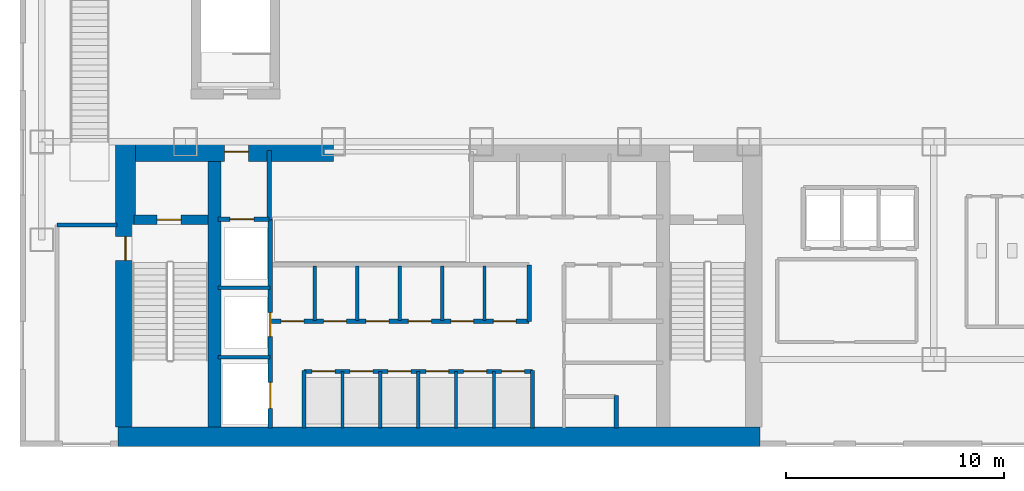
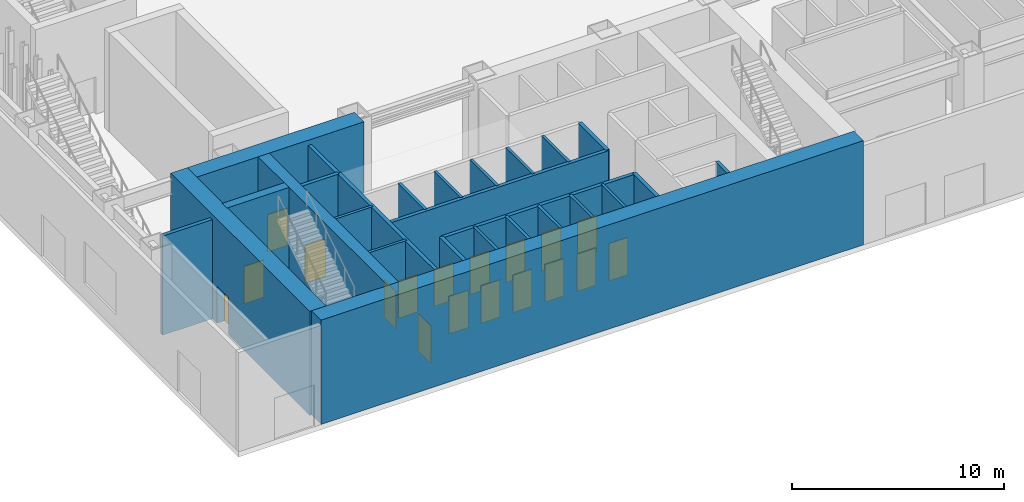
# One storey, part 9 of 25: 27 walls, 18 doors, 18 openings.
"""IFC4 building model written with IfcOpenShell, lengths in metres."""

import ifcopenshell
import ifcopenshell.guid

model = None  # the IFC model being written
_history = None  # IfcOwnerHistory: only IFC2X3 demands one
_inside = {}  # id of a spatial element -> (the spatial element, [elements in it])
_under = {}  # id of a project, library or spatial element -> (it, [spatial elements below it])
_declared = {}  # id of a project -> (the project, [libraries it declares])
_typed = {}  # id of a type object -> (the type object, [elements of that type])
_made_of = {}  # id of a material, layer set ... -> (it, [elements and type objects made of it])


def new_model(schema):
    """Start an empty IFC model of exactly this schema.

    Asked for "IFC4X3", IfcOpenShell would pick the latest addendum, in which some entities
    have other attributes; the version numbers below select the first issue.
    IFC2X3 requires an IfcOwnerHistory on every rooted entity: one is made here for all.
    """
    global model, _history
    if schema == "IFC4X3":
        model = ifcopenshell.file(schema_version=(4, 3, 0, 0))
    else:
        model = ifcopenshell.file(schema=schema)
    _inside.clear()
    _under.clear()
    _declared.clear()
    _typed.clear()
    _made_of.clear()
    _history = None
    if model.schema == "IFC2X3":
        org = make("IfcOrganization", Name="unknown")
        user = make(
            "IfcPersonAndOrganization",
            ThePerson=make("IfcPerson", FamilyName="unknown"),
            TheOrganization=org,
        )
        app = make(
            "IfcApplication",
            ApplicationDeveloper=org,
            Version="unknown",
            ApplicationFullName="unknown",
            ApplicationIdentifier="unknown",
        )
        _history = make(
            "IfcOwnerHistory",
            OwningUser=user,
            OwningApplication=app,
            ChangeAction="ADDED",
            CreationDate=0,
        )
    return model


def make(cls, **values):
    """One entity of the class cls with the attributes given. An attribute that is None is left unset."""
    return model.create_entity(
        cls, **{name: value for name, value in values.items() if value is not None}
    )


def rooted(cls, **values):
    """An entity with a GlobalId (a new one), such as an element, a storey or a relation."""
    return make(cls, GlobalId=ifcopenshell.guid.new(), OwnerHistory=_history, **values)


def si_unit(unit_type, name, prefix=None):
    """IfcSIUnit, for example si_unit("LENGTHUNIT", "METRE", prefix="MILLI")."""
    return make("IfcSIUnit", UnitType=unit_type, Prefix=prefix, Name=name)


def derived_unit(unit_type, elements):
    """IfcDerivedUnit: a product of units, each with its exponent."""
    return make(
        "IfcDerivedUnit",
        Elements=[
            make("IfcDerivedUnitElement", Unit=unit, Exponent=power)
            for unit, power in elements
        ],
        UnitType=unit_type,
    )


def assignment(units):
    """IfcUnitAssignment: the units of a project."""
    return None if units is None else make("IfcUnitAssignment", Units=units)


def point(xyz):
    """IfcCartesianPoint."""
    return None if xyz is None else make("IfcCartesianPoint", Coordinates=xyz)


def direction(xyz):
    """IfcDirection."""
    return None if xyz is None else make("IfcDirection", DirectionRatios=xyz)


def frame(location, z_axis=None, x_axis=None):
    """IfcAxis2Placement3D, a coordinate frame: its origin and axes. An axis left out is left unset."""
    return make(
        "IfcAxis2Placement3D",
        Location=point(location),
        Axis=direction(z_axis),
        RefDirection=direction(x_axis),
    )


def frame_2d(location, x_axis=None):
    """IfcAxis2Placement2D, a coordinate frame in the plane: its origin and x axis."""
    return make(
        "IfcAxis2Placement2D", Location=point(location), RefDirection=direction(x_axis)
    )


def origin():
    """The frame at (0, 0, 0) with its axes left unset."""
    return frame((0.0, 0.0, 0.0))


def place(relative_to, where):
    """IfcLocalPlacement: puts the frame where relative to a parent placement (None: the world)."""
    return make(
        "IfcLocalPlacement", PlacementRelTo=relative_to, RelativePlacement=where
    )


def context(
    kind, dimensions, precision=None, world=None, true_north=None, identifier=None
):
    """IfcGeometricRepresentationContext, for example the 3D "Model" context."""
    return make(
        "IfcGeometricRepresentationContext",
        ContextIdentifier=identifier,
        ContextType=kind,
        CoordinateSpaceDimension=dimensions,
        Precision=precision,
        WorldCoordinateSystem=world,
        TrueNorth=true_north,
    )


def subcontext(parent, identifier, kind, view, scale=None):
    """IfcGeometricRepresentationSubContext, for example "Body" below "Model"."""
    return make(
        "IfcGeometricRepresentationSubContext",
        ContextIdentifier=identifier,
        ContextType=kind,
        ParentContext=parent,
        TargetScale=scale,
        TargetView=view,
    )


def project(units=None, contexts=None):
    """IfcProject with its units and contexts."""
    return rooted(
        "IfcProject",
        Name="project",
        RepresentationContexts=contexts,
        UnitsInContext=assignment(units),
    )


def spatial(cls, under=None, at=None, **own):
    """A site, building, storey or space (cls), placed at a placement, below another one or the project."""
    s = rooted(cls, ObjectPlacement=at, **own)
    if under is not None:
        _under.setdefault(under.id(), (under, []))[1].append(s)
    return s


def profile(cls, at=None, kind="AREA", **sizes):
    """A parametric profile (cls). Its sizes go by their IFC names, for example OverallWidth=200.0."""
    return make(cls, ProfileType=kind, Position=at, **sizes)


def rectangle(**sizes):
    """IfcRectangleProfileDef."""
    return profile("IfcRectangleProfileDef", **sizes)


def extrude(swept, where, along, depth):
    """IfcExtrudedAreaSolid: the profile swept, set in the frame where, extruded along a direction by depth."""
    return make(
        "IfcExtrudedAreaSolid",
        SweptArea=swept,
        Position=where,
        ExtrudedDirection=direction(along),
        Depth=depth,
    )


def shape(context_of_items, identifier, shape_type, items):
    """IfcShapeRepresentation: the items that make up one representation, for example the "Body"."""
    return make(
        "IfcShapeRepresentation",
        ContextOfItems=context_of_items,
        RepresentationIdentifier=identifier,
        RepresentationType=shape_type,
        Items=items,
    )


def source(mapping_origin, context_of_items, identifier, shape_type, items):
    """IfcRepresentationMap: a shape defined once, which mapped items show again and again."""
    return make(
        "IfcRepresentationMap",
        MappingOrigin=mapping_origin,
        MappedRepresentation=shape(context_of_items, identifier, shape_type, items),
    )


def transform(
    local_origin,
    x_axis=None,
    y_axis=None,
    z_axis=None,
    scale=None,
    scale2=None,
    scale3=None,
    uniform=True,
):
    """IfcCartesianTransformationOperator3D, or its non-uniform kind. x_axis, y_axis, z_axis: its Axis1, 2, 3."""
    if uniform:
        return make(
            "IfcCartesianTransformationOperator3D",
            Axis1=direction(x_axis),
            Axis2=direction(y_axis),
            LocalOrigin=point(local_origin),
            Scale=scale,
            Axis3=direction(z_axis),
        )
    return make(
        "IfcCartesianTransformationOperator3DnonUniform",
        Axis1=direction(x_axis),
        Axis2=direction(y_axis),
        LocalOrigin=point(local_origin),
        Scale=scale,
        Axis3=direction(z_axis),
        Scale2=scale2,
        Scale3=scale3,
    )


def mapped(mapping_source, mapping_target):
    """IfcMappedItem: shows the shape of a source again, moved by a transform."""
    return make(
        "IfcMappedItem", MappingSource=mapping_source, MappingTarget=mapping_target
    )


def material(Name=None, Category=None):
    """IfcMaterial."""
    return make("IfcMaterial", Name=Name, Category=Category)


def layer(
    of_material, thickness, ventilated=None, Name=None, Category=None, Priority=None
):
    """IfcMaterialLayer: one layer of a wall or slab, of a material (None: an air gap)."""
    return make(
        "IfcMaterialLayer",
        Material=of_material,
        LayerThickness=thickness,
        IsVentilated=ventilated,
        Name=Name,
        Category=Category,
        Priority=Priority,
    )


def layer_set(layers, Name=None):
    """IfcMaterialLayerSet."""
    return make("IfcMaterialLayerSet", MaterialLayers=layers, LayerSetName=Name)


def made_of(thing, what):
    """Note that an element or type object is made of a material, layer set ...; save() writes the relation."""
    if what is not None:
        _made_of.setdefault(what.id(), (what, []))[1].append(thing)
    return thing


def type_object(cls, material=None, **own):
    """A type object (cls), such as IfcWallType, which elements share."""
    return made_of(rooted(cls, **own), material)


def element(
    cls,
    number,
    at=None,
    inside=None,
    cuts=None,
    type_object=None,
    material=None,
    context=None,
    identifier="Body",
    shape_type=None,
    held_by="IfcProductDefinitionShape",
    body=None,
    shapes=None,
    **own,
):
    """One element of the class cls, such as IfcWall. Its Tag is "e" and its number.

    at: its placement. inside: the storey or other place that contains it. cuts: it is an
    opening in that element (IfcRelVoidsElement). A single representation is given by context,
    identifier, shape_type and body (its items); several are given by shapes. held_by: the class
    of the entity that holds the representations. save() writes the other relations.
    """
    e = rooted(cls, Tag="e%d" % number, ObjectPlacement=at, **own)
    if body is not None:
        shapes = [shape(context, identifier, shape_type, body)]
    if shapes is not None:
        e.Representation = make(held_by, Representations=shapes)
    if inside is not None:
        _inside.setdefault(inside.id(), (inside, []))[1].append(e)
    if cuts is not None:
        rooted(
            "IfcRelVoidsElement", RelatingBuildingElement=cuts, RelatedOpeningElement=e
        )
    if type_object is not None:
        _typed.setdefault(type_object.id(), (type_object, []))[1].append(e)
    return made_of(e, material)


def fill(opening, filler):
    """IfcRelFillsElement: the door or window that sits in an opening."""
    return rooted(
        "IfcRelFillsElement",
        RelatingOpeningElement=opening,
        RelatedBuildingElement=filler,
    )


def aggregate(whole, parts):
    """IfcRelAggregates: a whole, such as a stair, and the parts it consists of."""
    return rooted("IfcRelAggregates", RelatingObject=whole, RelatedObjects=parts)


def save(model, path):
    """Write the relations noted so far, then the file.

    IfcRelAggregates (storeys below a building ...), IfcRelContainedInSpatialStructure (elements
    in a storey), IfcRelDefinesByType, IfcRelAssociatesMaterial and IfcRelDeclares: one each for
    every whole, place, type object, material and project.
    """
    for whole, parts in _under.values():
        aggregate(whole, parts)
    for where, things in _inside.values():
        rooted(
            "IfcRelContainedInSpatialStructure",
            RelatedElements=things,
            RelatingStructure=where,
        )
    for kind, things in _typed.values():
        rooted("IfcRelDefinesByType", RelatedObjects=things, RelatingType=kind)
    for what, things in _made_of.values():
        rooted("IfcRelAssociatesMaterial", RelatedObjects=things, RelatingMaterial=what)
    for by, libraries in _declared.values():
        rooted("IfcRelDeclares", RelatingContext=by, RelatedDefinitions=libraries)
    model.write(path)


model = new_model("IFC4")

# Units and contexts
model_context = context("Model", 3, precision=1e-05, world=origin(), true_north=direction((0.0, 1.0)))
body_context = subcontext(model_context, "Body", "Model", "MODEL_VIEW")
ifc_project = project(units=[si_unit("LENGTHUNIT", "METRE"), si_unit("AREAUNIT", "SQUARE_METRE"), si_unit("VOLUMEUNIT", "CUBIC_METRE"), si_unit("PLANEANGLEUNIT", "RADIAN"), si_unit("MASSUNIT", "GRAM", prefix="KILO"), derived_unit("THERMALTRANSMITTANCEUNIT", [(si_unit("POWERUNIT", "WATT"), 1), (si_unit("LENGTHUNIT", "METRE"), -2), (si_unit("THERMODYNAMICTEMPERATUREUNIT", "KELVIN"), -1)])], contexts=[model_context])

# Site, building, storey
site_placement = place(None, origin())
site = spatial("IfcSite", under=ifc_project, at=site_placement, CompositionType="ELEMENT")
building_placement = place(site_placement, origin())
building = spatial("IfcBuilding", under=site, at=building_placement, Name="Skarnbrae Concourse Arena and Tower", CompositionType="ELEMENT")
storey_placement = place(building_placement, origin())
storey = spatial("IfcBuildingStorey", under=building, at=storey_placement, Name="L00", CompositionType="ELEMENT", Elevation=0.0)

# Wall
ifc_material_1 = material(Name="Concrete 70 MPa (C70/85)", Category="concrete")
ifc_layer_1 = layer(ifc_material_1, 0.89990234375)
ifc_layer_set_1 = layer_set([ifc_layer_1], Name="Concrete 70 MPa (C70/85)")
wall_type_1 = type_object("IfcWallType", Name="WALL-CORE-900-C70", PredefinedType="SHEAR", material=ifc_layer_set_1)
shared_shape_1 = source(origin(), body_context, "Body", "SweptSolid", [
    extrude(rectangle(XDim=29.5, YDim=0.89990234375, at=frame_2d((14.75, 0.0))), origin(), (0.0, 0.0, 1.0), 6.0),
])
wall_1_placement = place(storey_placement, frame((4.5, 0.449951171875, 0.0), z_axis=(0.0, 0.0, 1.0), x_axis=(1.0, 0.0, 0.0)))
element("IfcWall", 1, at=wall_1_placement, inside=storey, type_object=wall_type_1, Name="L00 Rear core shear wall CW-S", PredefinedType="SHEAR", context=body_context, shape_type="MappedRepresentation", body=[
    mapped(shared_shape_1, transform((0.0, 0.0, 0.0))),
])

# Wall, opening, door
shared_shape_2 = source(origin(), body_context, "Body", "SweptSolid", [
    extrude(rectangle(XDim=13.10009765625, YDim=0.89990234375, at=frame_2d((6.550048828125, 0.0))), origin(), (0.0, 0.0, 1.0), 6.0),
])
wall_2_placement = place(storey_placement, frame((4.85009765625, 0.89990234375, 0.0), z_axis=(0.0, 0.0, 1.0), x_axis=(0.0, 1.0, 0.0)))
wall_2 = element("IfcWall", 2, at=wall_2_placement, inside=storey, type_object=wall_type_1, Name="L00 Rear core shear wall CW-W", PredefinedType="SHEAR", context=body_context, shape_type="MappedRepresentation", body=[
    mapped(shared_shape_2, transform((0.0, 0.0, 0.0))),
])
opening_1_placement = place(wall_2_placement, frame((7.64990234375, 0.0, 0.0)))
opening_1 = element("IfcOpeningElement", 3, at=opening_1_placement, cuts=wall_2, Name="Opening DT-03", PredefinedType="OPENING", context=body_context, shape_type="SweptSolid", body=[
    extrude(rectangle(XDim=1.10009765625, YDim=2.14990234375, at=frame_2d((0.550048828125, 1.074951171875))), frame((0.0, 0.4599609375, 0.0), z_axis=(0.0, -1.0, 0.0), x_axis=(1.0, 0.0, 0.0)), (0.0, 0.0, 1.0), 0.919921875),
])
ifc_material_2 = material(Name="Steel CSA G40.21 350W", Category="steel")
door_type_1 = type_object("IfcDoorType", Name="DOOR-FIRE-1100-90M", OperationType="NOTDEFINED", PredefinedType="DOOR", material=ifc_material_2)
shared_shape_3 = source(origin(), body_context, "Body", "SweptSolid", [
    extrude(rectangle(XDim=1.10009765625, YDim=2.14990234375, at=frame_2d((0.550048828125, 1.074951171875))), frame((0.0, 0.02490234375, 0.0), z_axis=(0.0, -1.0, 0.0), x_axis=(1.0, 0.0, 0.0)), (0.0, 0.0, 1.0), 0.050048828125),
])
door_1_placement = place(opening_1_placement, origin())
door_1 = element("IfcDoor", 4, at=door_1_placement, inside=storey, type_object=door_type_1, Name="D-0146 Stair ST-1 Discharge Door", OperationType="SINGLE_SWING_RIGHT", OverallHeight=2.14990234375, OverallWidth=1.10009765625, PredefinedType="DOOR", context=body_context, shape_type="MappedRepresentation", body=[
    mapped(shared_shape_3, transform((0.0, 0.0, 0.0))),
])
fill(opening_1, door_1)

shared_shape_4 = source(origin(), body_context, "Body", "SweptSolid", [
    extrude(rectangle(XDim=9.099853515625, YDim=0.89990234375, at=frame_2d((4.5498046875, 0.0))), origin(), (0.0, 0.0, 1.0), 6.0),
])
wall_3_placement = place(storey_placement, frame((5.300048828125, 13.550048828125, 0.0), z_axis=(0.0, 0.0, 1.0), x_axis=(1.0, 0.0, 0.0)))
wall_3 = element("IfcWall", 5, at=wall_3_placement, inside=storey, type_object=wall_type_1, Name="L00 Rear core shear wall CW-NW", PredefinedType="SHEAR", context=body_context, shape_type="MappedRepresentation", body=[
    mapped(shared_shape_4, transform((0.0, 0.0, 0.0))),
])
opening_2_placement = place(wall_3_placement, frame((4.10009765625, 0.0, 0.0)))
opening_2 = element("IfcOpeningElement", 6, at=opening_2_placement, cuts=wall_3, Name="Opening DT-03", PredefinedType="OPENING", context=body_context, shape_type="SweptSolid", body=[
    extrude(rectangle(XDim=1.10009765625, YDim=2.14990234375, at=frame_2d((0.550048828125, 1.074951171875))), frame((0.0, 0.4599609375, 0.0), z_axis=(0.0, -1.0, 0.0), x_axis=(1.0, 0.0, 0.0)), (0.0, 0.0, 1.0), 0.919921875),
])
door_2_placement = place(opening_2_placement, origin())
door_2 = element("IfcDoor", 7, at=door_2_placement, inside=storey, type_object=door_type_1, Name="D-0148 Firefighting Lobby Exit Door", OperationType="SINGLE_SWING_RIGHT", OverallHeight=2.14990234375, OverallWidth=1.10009765625, PredefinedType="DOOR", context=body_context, shape_type="MappedRepresentation", body=[
    mapped(shared_shape_3, transform((0.0, 0.0, 0.0))),
])
fill(opening_2, door_2)

# Wall
ifc_layer_2 = layer(ifc_material_1, 0.60009765625)
ifc_layer_set_2 = layer_set([ifc_layer_2], Name="Concrete 70 MPa (C70/85)")
wall_type_2 = type_object("IfcWallType", Name="WALL-CORE-600-C70", PredefinedType="SHEAR", material=ifc_layer_set_2)
shared_shape_5 = source(origin(), body_context, "Body", "SweptSolid", [
    extrude(rectangle(XDim=12.2001953125, YDim=0.60009765625, at=frame_2d((6.10009765625, 0.0))), origin(), (0.0, 0.0, 1.0), 6.0),
])
wall_4_placement = place(storey_placement, frame((8.93994140625, 0.89990234375, 0.0), z_axis=(0.0, 0.0, 1.0), x_axis=(0.0, 1.0, 0.0)))
element("IfcWall", 8, at=wall_4_placement, inside=storey, type_object=wall_type_2, Name="L00 Rear core shear wall CW-WEB-W", PredefinedType="SHEAR", context=body_context, shape_type="MappedRepresentation", body=[
    mapped(shared_shape_5, transform((0.0, 0.0, 0.0))),
])

# Wall, opening, door
ifc_material_3 = material(Name="Concrete 50 MPa (C50/60)", Category="concrete")
ifc_layer_3 = layer(ifc_material_3, 0.449951171875)
ifc_layer_set_3 = layer_set([ifc_layer_3], Name="Concrete 50 MPa (C50/60)")
wall_type_3 = type_object("IfcWallType", Name="WALL-CORE-450-C50", PredefinedType="SHEAR", material=ifc_layer_set_3)
shared_shape_6 = source(origin(), body_context, "Body", "SweptSolid", [
    extrude(rectangle(XDim=3.389892578125, YDim=0.449951171875, at=frame_2d((1.69482421875, 0.0))), origin(), (0.0, 0.0, 1.0), 6.0),
])
wall_5_placement = place(storey_placement, frame((5.25, 10.419921875, 0.0), z_axis=(0.0, 0.0, 1.0), x_axis=(1.0, 0.0, 0.0)))
wall_5 = element("IfcWall", 9, at=wall_5_placement, inside=storey, type_object=wall_type_3, Name="L00 Rear core shear wall CW-ST1-N", PredefinedType="SHEAR", context=body_context, shape_type="MappedRepresentation", body=[
    mapped(shared_shape_6, transform((0.0, 0.0, 0.0))),
])
opening_3_placement = place(wall_5_placement, frame((1.050048828125, 0.0, 0.0)))
opening_3 = element("IfcOpeningElement", 10, at=opening_3_placement, cuts=wall_5, Name="Opening DT-03", PredefinedType="OPENING", context=body_context, shape_type="SweptSolid", body=[
    extrude(rectangle(XDim=1.10009765625, YDim=2.14990234375, at=frame_2d((0.550048828125, 1.074951171875))), frame((0.0, 0.23486328125, 0.0), z_axis=(0.0, -1.0, 0.0), x_axis=(1.0, 0.0, 0.0)), (0.0, 0.0, 1.0), 0.469970703125),
])
door_3_placement = place(opening_3_placement, frame((1.10009765625, 0.0, 0.0), z_axis=(0.0, 0.0, 1.0), x_axis=(-1.0, 0.0, 0.0)))
door_3 = element("IfcDoor", 11, at=door_3_placement, inside=storey, type_object=door_type_1, Name="D-0145 Stair ST-1 Door", OperationType="SINGLE_SWING_LEFT", OverallHeight=2.14990234375, OverallWidth=1.10009765625, PredefinedType="DOOR", context=body_context, shape_type="MappedRepresentation", body=[
    mapped(shared_shape_3, transform((0.0, 0.0, 0.0))),
])
fill(opening_3, door_3)

# Wall
ifc_material_4 = material(Name="Gypsum board on cold-formed steel studs", Category="steel")
ifc_layer_4 = layer(ifc_material_4, 0.199951171875)
ifc_layer_set_4 = layer_set([ifc_layer_4], Name="Gypsum board on cold-formed steel studs")
wall_type_4 = type_object("IfcWallType", Name="WALL-PART-200-2HR", PredefinedType="PARTITIONING", material=ifc_layer_set_4)
shared_shape_7 = source(origin(), body_context, "Body", "SweptSolid", [
    extrude(rectangle(XDim=3.18017578125, YDim=0.199951171875, at=frame_2d((1.590087890625, 0.0))), origin(), (0.0, 0.0, 1.0), 5.699951171875),
])
wall_6_placement = place(storey_placement, frame((11.449951171875, 10.419921875, 0.0), z_axis=(0.0, 0.0, 1.0), x_axis=(0.0, 1.0, 0.0)))
element("IfcWall", 12, at=wall_6_placement, inside=storey, type_object=wall_type_4, Name="L00 Interior partition wall W-L00-FFL-E", PredefinedType="PARTITIONING", context=body_context, shape_type="MappedRepresentation", body=[
    mapped(shared_shape_7, transform((0.0, 0.0, 0.0))),
])

# Wall, opening, door
shared_shape_8 = source(origin(), body_context, "Body", "SweptSolid", [
    extrude(rectangle(XDim=2.349853515625, YDim=0.199951171875, at=frame_2d((1.1748046875, 0.0))), origin(), (0.0, 0.0, 1.0), 5.699951171875),
])
wall_7_placement = place(storey_placement, frame((9.10009765625, 10.449951171875, 0.0), z_axis=(0.0, 0.0, 1.0), x_axis=(1.0, 0.0, 0.0)))
wall_7 = element("IfcWall", 13, at=wall_7_placement, inside=storey, type_object=wall_type_4, Name="L00 Interior partition wall W-L00-FL1-N", PredefinedType="PARTITIONING", context=body_context, shape_type="MappedRepresentation", body=[
    mapped(shared_shape_8, transform((0.0, 0.0, 0.0))),
])
opening_4_placement = place(wall_7_placement, frame((0.550048828125, 0.0, 0.0)))
opening_4 = element("IfcOpeningElement", 14, at=opening_4_placement, cuts=wall_7, Name="Opening LD-01", PredefinedType="OPENING", context=body_context, shape_type="SweptSolid", body=[
    extrude(rectangle(XDim=1.10009765625, YDim=2.14990234375, at=frame_2d((0.550048828125, 1.074951171875))), frame((0.0, 0.10986328125, 0.0), z_axis=(0.0, -1.0, 0.0), x_axis=(1.0, 0.0, 0.0)), (0.0, 0.0, 1.0), 0.219970703125),
])
door_type_2 = type_object("IfcDoorType", Name="DOOR-LIFT-SLIDE-1100", OperationType="SLIDING_TO_LEFT", PredefinedType="DOOR", material=ifc_material_2)
door_4_placement = place(opening_4_placement, origin())
door_4 = element("IfcDoor", 15, at=door_4_placement, inside=storey, type_object=door_type_2, Name="D-0150 Firefighting Lift Landing Door FL-01", OperationType="SLIDING_TO_LEFT", OverallHeight=2.14990234375, OverallWidth=1.10009765625, PredefinedType="DOOR", context=body_context, shape_type="MappedRepresentation", body=[
    mapped(shared_shape_3, transform((0.0, 0.0, 0.0))),
])
fill(opening_4, door_4)

# Wall, openings, doors
shared_shape_9 = source(origin(), body_context, "Body", "SweptSolid", [
    extrude(rectangle(XDim=9.599853515625, YDim=0.199951171875, at=frame_2d((4.7998046875, 0.0))), origin(), (0.0, 0.0, 1.0), 5.699951171875),
])
wall_8_placement = place(storey_placement, frame((11.5, 0.85009765625, 0.0), z_axis=(0.0, 0.0, 1.0), x_axis=(0.0, 1.0, 0.0)))
wall_8 = element("IfcWall", 16, at=wall_8_placement, inside=storey, type_object=wall_type_4, Name="L00 Interior partition wall W-L00-FL-E", PredefinedType="PARTITIONING", context=body_context, shape_type="MappedRepresentation", body=[
    mapped(shared_shape_9, transform((0.0, 0.0, 0.0))),
])
opening_5_placement = place(wall_8_placement, frame((4.199951171875, 0.0, 0.0)))
opening_5 = element("IfcOpeningElement", 17, at=opening_5_placement, cuts=wall_8, Name="Opening LD-01", PredefinedType="OPENING", context=body_context, shape_type="SweptSolid", body=[
    extrude(rectangle(XDim=1.10009765625, YDim=2.14990234375, at=frame_2d((0.550048828125, 1.074951171875))), frame((0.0, 0.10986328125, 0.0), z_axis=(0.0, -1.0, 0.0), x_axis=(1.0, 0.0, 0.0)), (0.0, 0.0, 1.0), 0.219970703125),
])
opening_6_placement = place(wall_8_placement, frame((0.89990234375, 0.0, 0.0)))
opening_6 = element("IfcOpeningElement", 18, at=opening_6_placement, cuts=wall_8, Name="Opening LD-02", PredefinedType="OPENING", context=body_context, shape_type="SweptSolid", body=[
    extrude(rectangle(XDim=1.199951171875, YDim=2.14990234375, at=frame_2d((0.60009765625, 1.074951171875))), frame((0.0, 0.10986328125, 0.0), z_axis=(0.0, -1.0, 0.0), x_axis=(1.0, 0.0, 0.0)), (0.0, 0.0, 1.0), 0.219970703125),
])
door_5_placement = place(opening_5_placement, frame((1.10009765625, 0.0, 0.0), z_axis=(0.0, 0.0, 1.0), x_axis=(-1.0, 0.0, 0.0)))
door_5 = element("IfcDoor", 19, at=door_5_placement, inside=storey, type_object=door_type_2, Name="D-0151 Firefighting Lift Landing Door FL-02", OperationType="SLIDING_TO_LEFT", OverallHeight=2.14990234375, OverallWidth=1.10009765625, PredefinedType="DOOR", context=body_context, shape_type="MappedRepresentation", body=[
    mapped(shared_shape_3, transform((0.0, 0.0, 0.0))),
])
fill(opening_5, door_5)
door_type_3 = type_object("IfcDoorType", Name="DOOR-LIFT-SLIDE-1200", OperationType="SLIDING_TO_LEFT", PredefinedType="DOOR", material=ifc_material_2)
shared_shape_10 = source(origin(), body_context, "Body", "SweptSolid", [
    extrude(rectangle(XDim=1.199951171875, YDim=2.14990234375, at=frame_2d((0.60009765625, 1.074951171875))), frame((0.0, 0.02490234375, 0.0), z_axis=(0.0, -1.0, 0.0), x_axis=(1.0, 0.0, 0.0)), (0.0, 0.0, 1.0), 0.050048828125),
])
door_6_placement = place(opening_6_placement, frame((1.199951171875, 0.0, 0.0), z_axis=(0.0, 0.0, 1.0), x_axis=(-1.0, 0.0, 0.0)))
door_6 = element("IfcDoor", 20, at=door_6_placement, inside=storey, type_object=door_type_3, Name="D-0152 Service Lift Landing Door SV-01", OperationType="SLIDING_TO_LEFT", OverallHeight=2.14990234375, OverallWidth=1.199951171875, PredefinedType="DOOR", context=body_context, shape_type="MappedRepresentation", body=[
    mapped(shared_shape_10, transform((0.0, 0.0, 0.0))),
])
fill(opening_6, door_6)

# Walls
ifc_layer_5 = layer(ifc_material_4, 0.14990234375)
ifc_layer_set_5 = layer_set([ifc_layer_5], Name="Gypsum board on cold-formed steel studs")
wall_type_5 = type_object("IfcWallType", Name="WALL-PART-150", PredefinedType="PARTITIONING", material=ifc_layer_set_5)
shared_shape_11 = source(origin(), body_context, "Body", "SweptSolid", [
    extrude(rectangle(XDim=2.39990234375, YDim=0.14990234375, at=frame_2d((1.199951171875, 0.0))), origin(), (0.0, 0.0, 1.0), 5.699951171875),
])
for number, where, z_axis, x_axis, name in (
    (21, (9.10009765625, 4.10009765625, 0.0), (0.0, 0.0, 1.0), (1.0, 0.0, 0.0), "L00 Interior partition wall W-L00-FL-D1"),
    (22, (9.10009765625, 7.300048828125, 0.0), (0.0, 0.0, 1.0), (1.0, 0.0, 0.0), "L00 Interior partition wall W-L00-FL-D2"),
):
    element("IfcWall", number, at=place(storey_placement, frame(where, z_axis=z_axis, x_axis=x_axis)), inside=storey, type_object=wall_type_5, Name=name, PredefinedType="PARTITIONING", context=body_context, shape_type="MappedRepresentation", body=[
        mapped(shared_shape_11, transform((0.0, 0.0, 0.0))),
    ])
shared_shape_12 = source(origin(), body_context, "Body", "SweptSolid", [
    extrude(rectangle(XDim=2.64990234375, YDim=0.199951171875, at=frame_2d((1.324951171875, 0.0))), origin(), (0.0, 0.0, 1.0), 5.699951171875),
])
for number, where, z_axis, x_axis, name in (
    (23, (13.050048828125, 0.85009765625, 0.0), (0.0, 0.0, 1.0), (0.0, 1.0, 0.0), "L00 Interior partition wall W-L00-B1-W"),
    (24, (23.550048828125, 0.85009765625, 0.0), (0.0, 0.0, 1.0), (0.0, 1.0, 0.0), "L00 Interior partition wall W-L00-B1-E"),
):
    element("IfcWall", number, at=place(storey_placement, frame(where, z_axis=z_axis, x_axis=x_axis)), inside=storey, type_object=wall_type_4, Name=name, PredefinedType="PARTITIONING", context=body_context, shape_type="MappedRepresentation", body=[
        mapped(shared_shape_12, transform((0.0, 0.0, 0.0))),
    ])

# Wall, openings, doors
shared_shape_13 = source(origin(), body_context, "Body", "SweptSolid", [
    extrude(rectangle(XDim=10.5, YDim=0.199951171875, at=frame_2d((5.25, 0.0))), origin(), (0.0, 0.0, 1.0), 5.699951171875),
])
wall_9_placement = place(storey_placement, frame((13.050048828125, 3.449951171875, 0.0), z_axis=(0.0, 0.0, 1.0), x_axis=(1.0, 0.0, 0.0)))
wall_9 = element("IfcWall", 25, at=wall_9_placement, inside=storey, type_object=wall_type_4, Name="L00 Interior partition wall W-L00-B1-N", PredefinedType="PARTITIONING", context=body_context, shape_type="MappedRepresentation", body=[
    mapped(shared_shape_13, transform((0.0, 0.0, 0.0))),
])
opening_7_placement = place(wall_9_placement, frame((0.3798828125, 0.0, 0.0)))
opening_7 = element("IfcOpeningElement", 26, at=opening_7_placement, cuts=wall_9, Name="Opening LD-03", PredefinedType="OPENING", context=body_context, shape_type="SweptSolid", body=[
    extrude(rectangle(XDim=1.050048828125, YDim=2.14990234375, at=frame_2d((0.52490234375, 1.074951171875))), frame((0.0, 0.10986328125, 0.0), z_axis=(0.0, -1.0, 0.0), x_axis=(1.0, 0.0, 0.0)), (0.0, 0.0, 1.0), 0.219970703125),
])
opening_8_placement = place(wall_9_placement, frame((2.1201171875, 0.0, 0.0)))
opening_8 = element("IfcOpeningElement", 27, at=opening_8_placement, cuts=wall_9, Name="Opening LD-03", PredefinedType="OPENING", context=body_context, shape_type="SweptSolid", body=[
    extrude(rectangle(XDim=1.050048828125, YDim=2.14990234375, at=frame_2d((0.52490234375, 1.074951171875))), frame((0.0, 0.10986328125, 0.0), z_axis=(0.0, -1.0, 0.0), x_axis=(1.0, 0.0, 0.0)), (0.0, 0.0, 1.0), 0.219970703125),
])
opening_9_placement = place(wall_9_placement, frame((3.860107421875, 0.0, 0.0)))
opening_9 = element("IfcOpeningElement", 28, at=opening_9_placement, cuts=wall_9, Name="Opening LD-03", PredefinedType="OPENING", context=body_context, shape_type="SweptSolid", body=[
    extrude(rectangle(XDim=1.050048828125, YDim=2.14990234375, at=frame_2d((0.52490234375, 1.074951171875))), frame((0.0, 0.10986328125, 0.0), z_axis=(0.0, -1.0, 0.0), x_axis=(1.0, 0.0, 0.0)), (0.0, 0.0, 1.0), 0.219970703125),
])
opening_10_placement = place(wall_9_placement, frame((5.60009765625, 0.0, 0.0)))
opening_10 = element("IfcOpeningElement", 29, at=opening_10_placement, cuts=wall_9, Name="Opening LD-03", PredefinedType="OPENING", context=body_context, shape_type="SweptSolid", body=[
    extrude(rectangle(XDim=1.050048828125, YDim=2.14990234375, at=frame_2d((0.52490234375, 1.074951171875))), frame((0.0, 0.10986328125, 0.0), z_axis=(0.0, -1.0, 0.0), x_axis=(1.0, 0.0, 0.0)), (0.0, 0.0, 1.0), 0.219970703125),
])
opening_11_placement = place(wall_9_placement, frame((7.340087890625, 0.0, 0.0)))
opening_11 = element("IfcOpeningElement", 30, at=opening_11_placement, cuts=wall_9, Name="Opening LD-03", PredefinedType="OPENING", context=body_context, shape_type="SweptSolid", body=[
    extrude(rectangle(XDim=1.050048828125, YDim=2.14990234375, at=frame_2d((0.52490234375, 1.074951171875))), frame((0.0, 0.10986328125, 0.0), z_axis=(0.0, -1.0, 0.0), x_axis=(1.0, 0.0, 0.0)), (0.0, 0.0, 1.0), 0.219970703125),
])
opening_12_placement = place(wall_9_placement, frame((9.080078125, 0.0, 0.0)))
opening_12 = element("IfcOpeningElement", 31, at=opening_12_placement, cuts=wall_9, Name="Opening LD-03", PredefinedType="OPENING", context=body_context, shape_type="SweptSolid", body=[
    extrude(rectangle(XDim=1.050048828125, YDim=2.14990234375, at=frame_2d((0.52490234375, 1.074951171875))), frame((0.0, 0.10986328125, 0.0), z_axis=(0.0, -1.0, 0.0), x_axis=(1.0, 0.0, 0.0)), (0.0, 0.0, 1.0), 0.219970703125),
])
ifc_material_5 = material(Name="Bronze anodised aluminium 6063-T6", Category="aluminium")
door_type_4 = type_object("IfcDoorType", Name="DOOR-LIFT-SLIDE-1050", OperationType="SLIDING_TO_LEFT", PredefinedType="DOOR", material=ifc_material_5)
shared_shape_14 = source(origin(), body_context, "Body", "SweptSolid", [
    extrude(rectangle(XDim=1.050048828125, YDim=2.14990234375, at=frame_2d((0.52490234375, 1.074951171875))), frame((0.0, 0.02490234375, 0.0), z_axis=(0.0, -1.0, 0.0), x_axis=(1.0, 0.0, 0.0)), (0.0, 0.0, 1.0), 0.050048828125),
])
door_7_placement = place(opening_7_placement, origin())
door_7 = element("IfcDoor", 32, at=door_7_placement, inside=storey, type_object=door_type_4, Name="D-0153 Passenger Lift Landing Door PL-1A", OperationType="SLIDING_TO_LEFT", OverallHeight=2.14990234375, OverallWidth=1.050048828125, PredefinedType="DOOR", context=body_context, shape_type="MappedRepresentation", body=[
    mapped(shared_shape_14, transform((0.0, 0.0, 0.0))),
])
fill(opening_7, door_7)
door_8_placement = place(opening_8_placement, origin())
door_8 = element("IfcDoor", 33, at=door_8_placement, inside=storey, type_object=door_type_4, Name="D-0154 Passenger Lift Landing Door PL-1B", OperationType="SLIDING_TO_LEFT", OverallHeight=2.14990234375, OverallWidth=1.050048828125, PredefinedType="DOOR", context=body_context, shape_type="MappedRepresentation", body=[
    mapped(shared_shape_14, transform((0.0, 0.0, 0.0))),
])
fill(opening_8, door_8)
door_9_placement = place(opening_9_placement, origin())
door_9 = element("IfcDoor", 34, at=door_9_placement, inside=storey, type_object=door_type_4, Name="D-0155 Passenger Lift Landing Door PL-1C", OperationType="SLIDING_TO_LEFT", OverallHeight=2.14990234375, OverallWidth=1.050048828125, PredefinedType="DOOR", context=body_context, shape_type="MappedRepresentation", body=[
    mapped(shared_shape_14, transform((0.0, 0.0, 0.0))),
])
fill(opening_9, door_9)
door_10_placement = place(opening_10_placement, origin())
door_10 = element("IfcDoor", 35, at=door_10_placement, inside=storey, type_object=door_type_4, Name="D-0156 Passenger Lift Landing Door PL-1D", OperationType="SLIDING_TO_LEFT", OverallHeight=2.14990234375, OverallWidth=1.050048828125, PredefinedType="DOOR", context=body_context, shape_type="MappedRepresentation", body=[
    mapped(shared_shape_14, transform((0.0, 0.0, 0.0))),
])
fill(opening_10, door_10)
door_11_placement = place(opening_11_placement, origin())
door_11 = element("IfcDoor", 36, at=door_11_placement, inside=storey, type_object=door_type_4, Name="D-0157 Passenger Lift Landing Door PL-1E", OperationType="SLIDING_TO_LEFT", OverallHeight=2.14990234375, OverallWidth=1.050048828125, PredefinedType="DOOR", context=body_context, shape_type="MappedRepresentation", body=[
    mapped(shared_shape_14, transform((0.0, 0.0, 0.0))),
])
fill(opening_11, door_11)
door_12_placement = place(opening_12_placement, origin())
door_12 = element("IfcDoor", 37, at=door_12_placement, inside=storey, type_object=door_type_4, Name="D-0158 Passenger Lift Landing Door PL-1F", OperationType="SLIDING_TO_LEFT", OverallHeight=2.14990234375, OverallWidth=1.050048828125, PredefinedType="DOOR", context=body_context, shape_type="MappedRepresentation", body=[
    mapped(shared_shape_14, transform((0.0, 0.0, 0.0))),
])
fill(opening_12, door_12)

# Walls
shared_shape_15 = source(origin(), body_context, "Body", "SweptSolid", [
    extrude(rectangle(XDim=2.599853515625, YDim=0.14990234375, at=frame_2d((1.2998046875, 0.0))), origin(), (0.0, 0.0, 1.0), 5.699951171875),
])
for number, where, z_axis, x_axis, name in (
    (38, (14.820068359375, 0.85009765625, 0.0), (0.0, 0.0, 1.0), (0.0, 1.0, 0.0), "L00 Interior partition wall W-L00-B1-P1"),
    (39, (16.56005859375, 0.85009765625, 0.0), (0.0, 0.0, 1.0), (0.0, 1.0, 0.0), "L00 Interior partition wall W-L00-B1-P2"),
    (40, (18.300048828125, 0.85009765625, 0.0), (0.0, 0.0, 1.0), (0.0, 1.0, 0.0), "L00 Interior partition wall W-L00-B1-P3"),
    (41, (20.0400390625, 0.85009765625, 0.0), (0.0, 0.0, 1.0), (0.0, 1.0, 0.0), "L00 Interior partition wall W-L00-B1-P4"),
    (42, (21.780029296875, 0.85009765625, 0.0), (0.0, 0.0, 1.0), (0.0, 1.0, 0.0), "L00 Interior partition wall W-L00-B1-P5"),
):
    element("IfcWall", number, at=place(storey_placement, frame(where, z_axis=z_axis, x_axis=x_axis)), inside=storey, type_object=wall_type_5, Name=name, PredefinedType="PARTITIONING", context=body_context, shape_type="MappedRepresentation", body=[
        mapped(shared_shape_15, transform((0.0, 0.0, 0.0))),
    ])

# Wall, openings, doors
shared_shape_16 = source(origin(), body_context, "Body", "SweptSolid", [
    extrude(rectangle(XDim=11.849853515625, YDim=0.199951171875, at=frame_2d((5.9248046875, 0.0))), origin(), (0.0, 0.0, 1.0), 5.699951171875),
])
wall_10_placement = place(storey_placement, frame((11.550048828125, 5.75, 0.0), z_axis=(0.0, 0.0, 1.0), x_axis=(1.0, 0.0, 0.0)))
wall_10 = element("IfcWall", 43, at=wall_10_placement, inside=storey, type_object=wall_type_4, Name="L00 Interior partition wall W-L00-B2-S", PredefinedType="PARTITIONING", context=body_context, shape_type="MappedRepresentation", body=[
    mapped(shared_shape_16, transform((0.0, 0.0, 0.0))),
])
opening_13_placement = place(wall_10_placement, frame((0.449951171875, 0.0, 0.0)))
opening_13 = element("IfcOpeningElement", 44, at=opening_13_placement, cuts=wall_10, Name="Opening LD-03", PredefinedType="OPENING", context=body_context, shape_type="SweptSolid", body=[
    extrude(rectangle(XDim=1.050048828125, YDim=2.14990234375, at=frame_2d((0.52490234375, 1.074951171875))), frame((0.0, 0.10986328125, 0.0), z_axis=(0.0, -1.0, 0.0), x_axis=(1.0, 0.0, 0.0)), (0.0, 0.0, 1.0), 0.219970703125),
])
opening_14_placement = place(wall_10_placement, frame((2.39990234375, 0.0, 0.0)))
opening_14 = element("IfcOpeningElement", 45, at=opening_14_placement, cuts=wall_10, Name="Opening LD-03", PredefinedType="OPENING", context=body_context, shape_type="SweptSolid", body=[
    extrude(rectangle(XDim=1.050048828125, YDim=2.14990234375, at=frame_2d((0.52490234375, 1.074951171875))), frame((0.0, 0.10986328125, 0.0), z_axis=(0.0, -1.0, 0.0), x_axis=(1.0, 0.0, 0.0)), (0.0, 0.0, 1.0), 0.219970703125),
])
opening_15_placement = place(wall_10_placement, frame((4.35009765625, 0.0, 0.0)))
opening_15 = element("IfcOpeningElement", 46, at=opening_15_placement, cuts=wall_10, Name="Opening LD-03", PredefinedType="OPENING", context=body_context, shape_type="SweptSolid", body=[
    extrude(rectangle(XDim=1.050048828125, YDim=2.14990234375, at=frame_2d((0.52490234375, 1.074951171875))), frame((0.0, 0.10986328125, 0.0), z_axis=(0.0, -1.0, 0.0), x_axis=(1.0, 0.0, 0.0)), (0.0, 0.0, 1.0), 0.219970703125),
])
opening_16_placement = place(wall_10_placement, frame((6.300048828125, 0.0, 0.0)))
opening_16 = element("IfcOpeningElement", 47, at=opening_16_placement, cuts=wall_10, Name="Opening LD-03", PredefinedType="OPENING", context=body_context, shape_type="SweptSolid", body=[
    extrude(rectangle(XDim=1.050048828125, YDim=2.14990234375, at=frame_2d((0.52490234375, 1.074951171875))), frame((0.0, 0.10986328125, 0.0), z_axis=(0.0, -1.0, 0.0), x_axis=(1.0, 0.0, 0.0)), (0.0, 0.0, 1.0), 0.219970703125),
])
opening_17_placement = place(wall_10_placement, frame((8.25, 0.0, 0.0)))
opening_17 = element("IfcOpeningElement", 48, at=opening_17_placement, cuts=wall_10, Name="Opening LD-03", PredefinedType="OPENING", context=body_context, shape_type="SweptSolid", body=[
    extrude(rectangle(XDim=1.050048828125, YDim=2.14990234375, at=frame_2d((0.52490234375, 1.074951171875))), frame((0.0, 0.10986328125, 0.0), z_axis=(0.0, -1.0, 0.0), x_axis=(1.0, 0.0, 0.0)), (0.0, 0.0, 1.0), 0.219970703125),
])
opening_18_placement = place(wall_10_placement, frame((10.199951171875, 0.0, 0.0)))
opening_18 = element("IfcOpeningElement", 49, at=opening_18_placement, cuts=wall_10, Name="Opening LD-03", PredefinedType="OPENING", context=body_context, shape_type="SweptSolid", body=[
    extrude(rectangle(XDim=1.050048828125, YDim=2.14990234375, at=frame_2d((0.52490234375, 1.074951171875))), frame((0.0, 0.10986328125, 0.0), z_axis=(0.0, -1.0, 0.0), x_axis=(1.0, 0.0, 0.0)), (0.0, 0.0, 1.0), 0.219970703125),
])
door_13_placement = place(opening_13_placement, frame((1.050048828125, 0.0, 0.0), z_axis=(0.0, 0.0, 1.0), x_axis=(-1.0, 0.0, 0.0)))
door_13 = element("IfcDoor", 50, at=door_13_placement, inside=storey, type_object=door_type_4, Name="D-0159 Passenger Lift Landing Door PL-2A", OperationType="SLIDING_TO_LEFT", OverallHeight=2.14990234375, OverallWidth=1.050048828125, PredefinedType="DOOR", context=body_context, shape_type="MappedRepresentation", body=[
    mapped(shared_shape_14, transform((0.0, 0.0, 0.0))),
])
fill(opening_13, door_13)
door_14_placement = place(opening_14_placement, frame((1.050048828125, 0.0, 0.0), z_axis=(0.0, 0.0, 1.0), x_axis=(-1.0, 0.0, 0.0)))
door_14 = element("IfcDoor", 51, at=door_14_placement, inside=storey, type_object=door_type_4, Name="D-0160 Passenger Lift Landing Door PL-2B", OperationType="SLIDING_TO_LEFT", OverallHeight=2.14990234375, OverallWidth=1.050048828125, PredefinedType="DOOR", context=body_context, shape_type="MappedRepresentation", body=[
    mapped(shared_shape_14, transform((0.0, 0.0, 0.0))),
])
fill(opening_14, door_14)
door_15_placement = place(opening_15_placement, frame((1.050048828125, 0.0, 0.0), z_axis=(0.0, 0.0, 1.0), x_axis=(-1.0, 0.0, 0.0)))
door_15 = element("IfcDoor", 52, at=door_15_placement, inside=storey, type_object=door_type_4, Name="D-0161 Passenger Lift Landing Door PL-2C", OperationType="SLIDING_TO_LEFT", OverallHeight=2.14990234375, OverallWidth=1.050048828125, PredefinedType="DOOR", context=body_context, shape_type="MappedRepresentation", body=[
    mapped(shared_shape_14, transform((0.0, 0.0, 0.0))),
])
fill(opening_15, door_15)
door_16_placement = place(opening_16_placement, frame((1.050048828125, 0.0, 0.0), z_axis=(0.0, 0.0, 1.0), x_axis=(-1.0, 0.0, 0.0)))
door_16 = element("IfcDoor", 53, at=door_16_placement, inside=storey, type_object=door_type_4, Name="D-0162 Passenger Lift Landing Door PL-2D", OperationType="SLIDING_TO_LEFT", OverallHeight=2.14990234375, OverallWidth=1.050048828125, PredefinedType="DOOR", context=body_context, shape_type="MappedRepresentation", body=[
    mapped(shared_shape_14, transform((0.0, 0.0, 0.0))),
])
fill(opening_16, door_16)
door_17_placement = place(opening_17_placement, frame((1.050048828125, 0.0, 0.0), z_axis=(0.0, 0.0, 1.0), x_axis=(-1.0, 0.0, 0.0)))
door_17 = element("IfcDoor", 54, at=door_17_placement, inside=storey, type_object=door_type_4, Name="D-0163 Passenger Lift Landing Door PL-2E", OperationType="SLIDING_TO_LEFT", OverallHeight=2.14990234375, OverallWidth=1.050048828125, PredefinedType="DOOR", context=body_context, shape_type="MappedRepresentation", body=[
    mapped(shared_shape_14, transform((0.0, 0.0, 0.0))),
])
fill(opening_17, door_17)
door_18_placement = place(opening_18_placement, frame((1.050048828125, 0.0, 0.0), z_axis=(0.0, 0.0, 1.0), x_axis=(-1.0, 0.0, 0.0)))
door_18 = element("IfcDoor", 55, at=door_18_placement, inside=storey, type_object=door_type_4, Name="D-0164 Passenger Lift Landing Door PL-2F", OperationType="SLIDING_TO_LEFT", OverallHeight=2.14990234375, OverallWidth=1.050048828125, PredefinedType="DOOR", context=body_context, shape_type="MappedRepresentation", body=[
    mapped(shared_shape_14, transform((0.0, 0.0, 0.0))),
])
fill(opening_18, door_18)

# Walls
shared_shape_17 = source(origin(), body_context, "Body", "SweptSolid", [
    extrude(rectangle(XDim=2.60009765625, YDim=0.199951171875, at=frame_2d((1.300048828125, 0.0))), origin(), (0.0, 0.0, 1.0), 5.699951171875),
])
wall_11_placement = place(storey_placement, frame((23.39990234375, 5.75, 0.0), z_axis=(0.0, 0.0, 1.0), x_axis=(0.0, 1.0, 0.0)))
element("IfcWall", 56, at=wall_11_placement, inside=storey, type_object=wall_type_4, Name="L00 Interior partition wall W-L00-B2-E", PredefinedType="PARTITIONING", context=body_context, shape_type="MappedRepresentation", body=[
    mapped(shared_shape_17, transform((0.0, 0.0, 0.0))),
])
shared_shape_18 = source(origin(), body_context, "Body", "SweptSolid", [
    extrude(rectangle(XDim=2.5, YDim=0.14990234375, at=frame_2d((1.25, 0.0))), origin(), (0.0, 0.0, 1.0), 5.699951171875),
])
for number, where, z_axis, x_axis, name in (
    (57, (13.550048828125, 5.800048828125, 0.0), (0.0, 0.0, 1.0), (0.0, 1.0, 0.0), "L00 Interior partition wall W-L00-B2-P1"),
    (58, (15.5, 5.800048828125, 0.0), (0.0, 0.0, 1.0), (0.0, 1.0, 0.0), "L00 Interior partition wall W-L00-B2-P2"),
    (59, (17.449951171875, 5.800048828125, 0.0), (0.0, 0.0, 1.0), (0.0, 1.0, 0.0), "L00 Interior partition wall W-L00-B2-P3"),
    (60, (19.39990234375, 5.800048828125, 0.0), (0.0, 0.0, 1.0), (0.0, 1.0, 0.0), "L00 Interior partition wall W-L00-B2-P4"),
    (61, (21.35009765625, 5.800048828125, 0.0), (0.0, 0.0, 1.0), (0.0, 1.0, 0.0), "L00 Interior partition wall W-L00-B2-P5"),
):
    element("IfcWall", number, at=place(storey_placement, frame(where, z_axis=z_axis, x_axis=x_axis)), inside=storey, type_object=wall_type_5, Name=name, PredefinedType="PARTITIONING", context=body_context, shape_type="MappedRepresentation", body=[
        mapped(shared_shape_18, transform((0.0, 0.0, 0.0))),
    ])
shared_shape_19 = source(origin(), body_context, "Body", "SweptSolid", [
    extrude(rectangle(XDim=1.5, YDim=0.199951171875, at=frame_2d((0.75, 0.0))), origin(), (0.0, 0.0, 1.0), 5.699951171875),
])
wall_12_placement = place(storey_placement, frame((27.39990234375, 0.85009765625, 0.0), z_axis=(0.0, 0.0, 1.0), x_axis=(0.0, 1.0, 0.0)))
element("IfcWall", 62, at=wall_12_placement, inside=storey, type_object=wall_type_4, Name="L00 Interior partition wall W-L00-MEP-E", PredefinedType="PARTITIONING", context=body_context, shape_type="MappedRepresentation", body=[
    mapped(shared_shape_19, transform((0.0, 0.0, 0.0))),
])
shared_shape_20 = source(origin(), body_context, "Body", "SweptSolid", [
    extrude(rectangle(XDim=2.75, YDim=0.199951171875, at=frame_2d((1.375, 0.0))), origin(), (0.0, 0.0, 1.0), 5.699951171875),
])
wall_13_placement = place(storey_placement, frame((1.699951171875, 10.179931640625, 0.0), z_axis=(0.0, 0.0, 1.0), x_axis=(1.0, 0.0, 0.0)))
element("IfcWall", 63, at=wall_13_placement, inside=storey, type_object=wall_type_4, Name="L00 Interior partition wall W-L00-PEX-ST-1-N", PredefinedType="PARTITIONING", context=body_context, shape_type="MappedRepresentation", body=[
    mapped(shared_shape_20, transform((0.0, 0.0, 0.0))),
])

save(model, "model.ifc")
